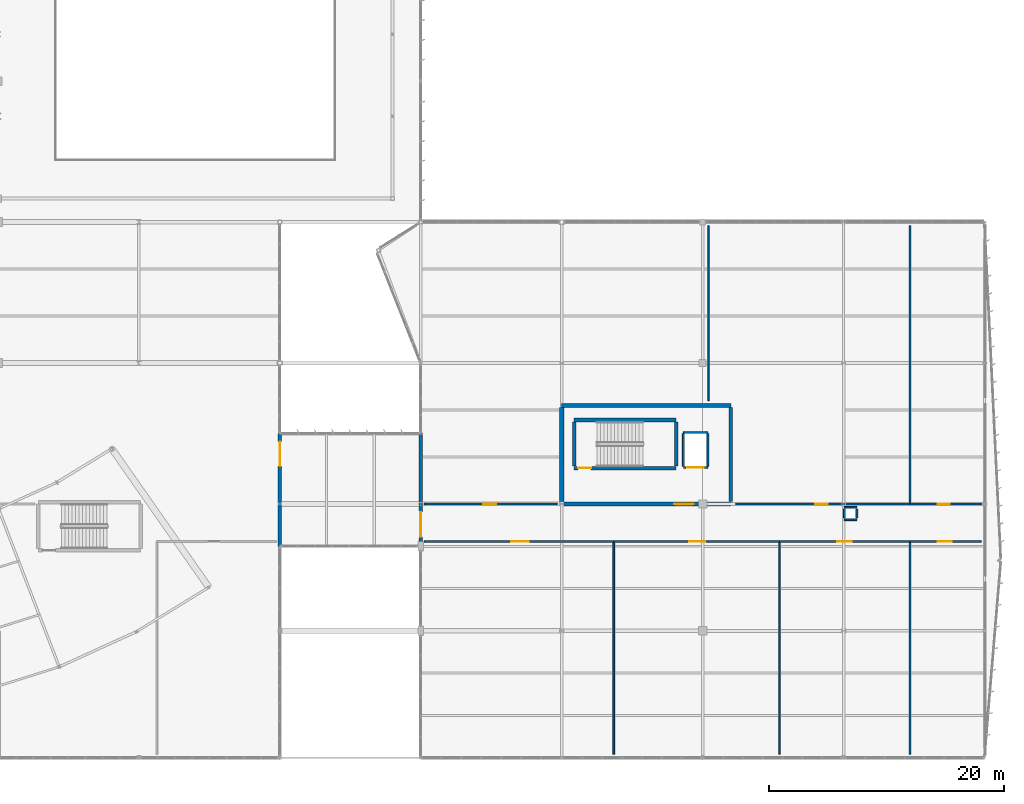
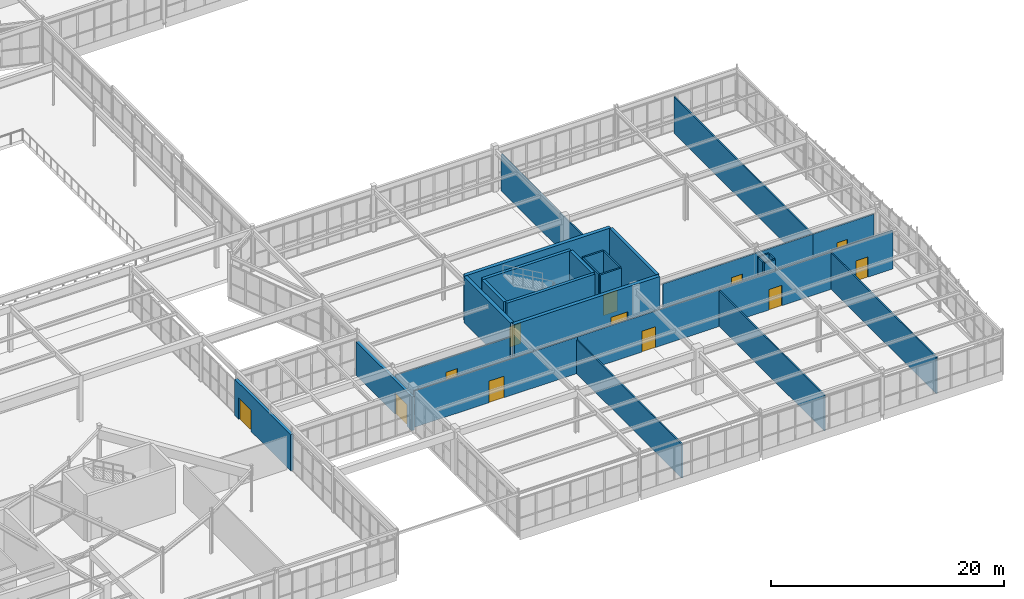
# One storey, part 161 of 186: 30 walls, 12 doors, 12 openings.
"""IFC4 building model written with IfcOpenShell, lengths in metres."""

import ifcopenshell
import ifcopenshell.guid

model = None  # the IFC model being written
_history = None  # IfcOwnerHistory: only IFC2X3 demands one
_inside = {}  # id of a spatial element -> (the spatial element, [elements in it])
_under = {}  # id of a project, library or spatial element -> (it, [spatial elements below it])
_declared = {}  # id of a project -> (the project, [libraries it declares])
_typed = {}  # id of a type object -> (the type object, [elements of that type])
_made_of = {}  # id of a material, layer set ... -> (it, [elements and type objects made of it])


def new_model(schema):
    """Start an empty IFC model of exactly this schema.

    Asked for "IFC4X3", IfcOpenShell would pick the latest addendum, in which some entities
    have other attributes; the version numbers below select the first issue.
    IFC2X3 requires an IfcOwnerHistory on every rooted entity: one is made here for all.
    """
    global model, _history
    if schema == "IFC4X3":
        model = ifcopenshell.file(schema_version=(4, 3, 0, 0))
    else:
        model = ifcopenshell.file(schema=schema)
    _inside.clear()
    _under.clear()
    _declared.clear()
    _typed.clear()
    _made_of.clear()
    _history = None
    if model.schema == "IFC2X3":
        org = make("IfcOrganization", Name="unknown")
        user = make(
            "IfcPersonAndOrganization",
            ThePerson=make("IfcPerson", FamilyName="unknown"),
            TheOrganization=org,
        )
        app = make(
            "IfcApplication",
            ApplicationDeveloper=org,
            Version="unknown",
            ApplicationFullName="unknown",
            ApplicationIdentifier="unknown",
        )
        _history = make(
            "IfcOwnerHistory",
            OwningUser=user,
            OwningApplication=app,
            ChangeAction="ADDED",
            CreationDate=0,
        )
    return model


def make(cls, **values):
    """One entity of the class cls with the attributes given. An attribute that is None is left unset."""
    return model.create_entity(
        cls, **{name: value for name, value in values.items() if value is not None}
    )


def rooted(cls, **values):
    """An entity with a GlobalId (a new one), such as an element, a storey or a relation."""
    return make(cls, GlobalId=ifcopenshell.guid.new(), OwnerHistory=_history, **values)


def si_unit(unit_type, name, prefix=None):
    """IfcSIUnit, for example si_unit("LENGTHUNIT", "METRE", prefix="MILLI")."""
    return make("IfcSIUnit", UnitType=unit_type, Prefix=prefix, Name=name)


def assignment(units):
    """IfcUnitAssignment: the units of a project."""
    return None if units is None else make("IfcUnitAssignment", Units=units)


def point(xyz):
    """IfcCartesianPoint."""
    return None if xyz is None else make("IfcCartesianPoint", Coordinates=xyz)


def direction(xyz):
    """IfcDirection."""
    return None if xyz is None else make("IfcDirection", DirectionRatios=xyz)


def frame(location, z_axis=None, x_axis=None):
    """IfcAxis2Placement3D, a coordinate frame: its origin and axes. An axis left out is left unset."""
    return make(
        "IfcAxis2Placement3D",
        Location=point(location),
        Axis=direction(z_axis),
        RefDirection=direction(x_axis),
    )


def frame_2d(location, x_axis=None):
    """IfcAxis2Placement2D, a coordinate frame in the plane: its origin and x axis."""
    return make(
        "IfcAxis2Placement2D", Location=point(location), RefDirection=direction(x_axis)
    )


def origin():
    """The frame at (0, 0, 0) with its axes left unset."""
    return frame((0.0, 0.0, 0.0))


def place(relative_to, where):
    """IfcLocalPlacement: puts the frame where relative to a parent placement (None: the world)."""
    return make(
        "IfcLocalPlacement", PlacementRelTo=relative_to, RelativePlacement=where
    )


def context(
    kind, dimensions, precision=None, world=None, true_north=None, identifier=None
):
    """IfcGeometricRepresentationContext, for example the 3D "Model" context."""
    return make(
        "IfcGeometricRepresentationContext",
        ContextIdentifier=identifier,
        ContextType=kind,
        CoordinateSpaceDimension=dimensions,
        Precision=precision,
        WorldCoordinateSystem=world,
        TrueNorth=true_north,
    )


def subcontext(parent, identifier, kind, view, scale=None):
    """IfcGeometricRepresentationSubContext, for example "Body" below "Model"."""
    return make(
        "IfcGeometricRepresentationSubContext",
        ContextIdentifier=identifier,
        ContextType=kind,
        ParentContext=parent,
        TargetScale=scale,
        TargetView=view,
    )


def project(units=None, contexts=None):
    """IfcProject with its units and contexts."""
    return rooted(
        "IfcProject",
        Name="project",
        RepresentationContexts=contexts,
        UnitsInContext=assignment(units),
    )


def spatial(cls, under=None, at=None, **own):
    """A site, building, storey or space (cls), placed at a placement, below another one or the project."""
    s = rooted(cls, ObjectPlacement=at, **own)
    if under is not None:
        _under.setdefault(under.id(), (under, []))[1].append(s)
    return s


def profile(cls, at=None, kind="AREA", **sizes):
    """A parametric profile (cls). Its sizes go by their IFC names, for example OverallWidth=200.0."""
    return make(cls, ProfileType=kind, Position=at, **sizes)


def rectangle(**sizes):
    """IfcRectangleProfileDef."""
    return profile("IfcRectangleProfileDef", **sizes)


def extrude(swept, where, along, depth):
    """IfcExtrudedAreaSolid: the profile swept, set in the frame where, extruded along a direction by depth."""
    return make(
        "IfcExtrudedAreaSolid",
        SweptArea=swept,
        Position=where,
        ExtrudedDirection=direction(along),
        Depth=depth,
    )


def shape(context_of_items, identifier, shape_type, items):
    """IfcShapeRepresentation: the items that make up one representation, for example the "Body"."""
    return make(
        "IfcShapeRepresentation",
        ContextOfItems=context_of_items,
        RepresentationIdentifier=identifier,
        RepresentationType=shape_type,
        Items=items,
    )


def material(Name=None, Category=None):
    """IfcMaterial."""
    return make("IfcMaterial", Name=Name, Category=Category)


def layer(
    of_material, thickness, ventilated=None, Name=None, Category=None, Priority=None
):
    """IfcMaterialLayer: one layer of a wall or slab, of a material (None: an air gap)."""
    return make(
        "IfcMaterialLayer",
        Material=of_material,
        LayerThickness=thickness,
        IsVentilated=ventilated,
        Name=Name,
        Category=Category,
        Priority=Priority,
    )


def layer_set(layers, Name=None):
    """IfcMaterialLayerSet."""
    return make("IfcMaterialLayerSet", MaterialLayers=layers, LayerSetName=Name)


def made_of(thing, what):
    """Note that an element or type object is made of a material, layer set ...; save() writes the relation."""
    if what is not None:
        _made_of.setdefault(what.id(), (what, []))[1].append(thing)
    return thing


def type_object(cls, material=None, **own):
    """A type object (cls), such as IfcWallType, which elements share."""
    return made_of(rooted(cls, **own), material)


def element(
    cls,
    number,
    at=None,
    inside=None,
    cuts=None,
    type_object=None,
    material=None,
    context=None,
    identifier="Body",
    shape_type=None,
    held_by="IfcProductDefinitionShape",
    body=None,
    shapes=None,
    **own,
):
    """One element of the class cls, such as IfcWall. Its Tag is "e" and its number.

    at: its placement. inside: the storey or other place that contains it. cuts: it is an
    opening in that element (IfcRelVoidsElement). A single representation is given by context,
    identifier, shape_type and body (its items); several are given by shapes. held_by: the class
    of the entity that holds the representations. save() writes the other relations.
    """
    e = rooted(cls, Tag="e%d" % number, ObjectPlacement=at, **own)
    if body is not None:
        shapes = [shape(context, identifier, shape_type, body)]
    if shapes is not None:
        e.Representation = make(held_by, Representations=shapes)
    if inside is not None:
        _inside.setdefault(inside.id(), (inside, []))[1].append(e)
    if cuts is not None:
        rooted(
            "IfcRelVoidsElement", RelatingBuildingElement=cuts, RelatedOpeningElement=e
        )
    if type_object is not None:
        _typed.setdefault(type_object.id(), (type_object, []))[1].append(e)
    return made_of(e, material)


def fill(opening, filler):
    """IfcRelFillsElement: the door or window that sits in an opening."""
    return rooted(
        "IfcRelFillsElement",
        RelatingOpeningElement=opening,
        RelatedBuildingElement=filler,
    )


def aggregate(whole, parts):
    """IfcRelAggregates: a whole, such as a stair, and the parts it consists of."""
    return rooted("IfcRelAggregates", RelatingObject=whole, RelatedObjects=parts)


def save(model, path):
    """Write the relations noted so far, then the file.

    IfcRelAggregates (storeys below a building ...), IfcRelContainedInSpatialStructure (elements
    in a storey), IfcRelDefinesByType, IfcRelAssociatesMaterial and IfcRelDeclares: one each for
    every whole, place, type object, material and project.
    """
    for whole, parts in _under.values():
        aggregate(whole, parts)
    for where, things in _inside.values():
        rooted(
            "IfcRelContainedInSpatialStructure",
            RelatedElements=things,
            RelatingStructure=where,
        )
    for kind, things in _typed.values():
        rooted("IfcRelDefinesByType", RelatedObjects=things, RelatingType=kind)
    for what, things in _made_of.values():
        rooted("IfcRelAssociatesMaterial", RelatedObjects=things, RelatingMaterial=what)
    for by, libraries in _declared.values():
        rooted("IfcRelDeclares", RelatingContext=by, RelatedDefinitions=libraries)
    model.write(path)


model = new_model("IFC4")

# Units and contexts
model_context = context("Model", 3, precision=1e-05, world=origin(), true_north=direction((0.0, 1.0)))
body_context = subcontext(model_context, "Body", "Model", "MODEL_VIEW")
ifc_project = project(units=[si_unit("LENGTHUNIT", "METRE"), si_unit("AREAUNIT", "SQUARE_METRE"), si_unit("VOLUMEUNIT", "CUBIC_METRE"), si_unit("PLANEANGLEUNIT", "RADIAN"), si_unit("MASSUNIT", "GRAM", prefix="KILO")], contexts=[model_context])

# Site, building, storey
site_placement = place(None, origin())
site = spatial("IfcSite", under=ifc_project, at=site_placement, CompositionType="ELEMENT")
building_placement = place(site_placement, origin())
building = spatial("IfcBuilding", under=site, at=building_placement, Name="Tarnwether General Hospital", CompositionType="ELEMENT")
storey_placement = place(building_placement, frame((0.0, 0.0, 9.60009765625)))
storey = spatial("IfcBuildingStorey", under=building, at=storey_placement, Name="L02", CompositionType="ELEMENT", Elevation=9.60009765625)

# Wall, opening, door
ifc_material_1 = material(Name="Precast concrete 40 MPa", Category="concrete")
ifc_layer_1 = layer(ifc_material_1, 0.280029296875)
ifc_layer_set_1 = layer_set([ifc_layer_1], Name="Precast concrete 40 MPa")
wall_type_1 = type_object("IfcWallType", Name="WL-EX280", PredefinedType="STANDARD", material=ifc_layer_set_1)
wall_1_placement = place(storey_placement, frame((132.0, 27.60009765625, 0.0), z_axis=(0.0, 0.0, 1.0), x_axis=(0.0, -1.0, 0.0)))
wall_1 = element("IfcWall", 1, at=wall_1_placement, inside=storey, type_object=wall_type_1, Name="L02 Bridge West Threshold EW-L02-0321", PredefinedType="STANDARD", context=body_context, shape_type="SweptSolid", body=[
    extrude(rectangle(XDim=9.60009765625, YDim=0.280029296875, at=frame_2d((4.800048828125, 0.0))), origin(), (0.0, 0.0, 1.0), 3.77978515625),
])
opening_1_placement = place(wall_1_placement, frame((0.680908203125, 0.0, 0.0)))
opening_1 = element("IfcOpeningElement", 2, at=opening_1_placement, cuts=wall_1, Name="Opening ED-09", PredefinedType="OPENING", context=body_context, shape_type="SweptSolid", body=[
    extrude(rectangle(XDim=2.10009765625, YDim=2.25, at=frame_2d((1.050048828125, 1.125))), frame((0.0, 0.14990234375, 0.0), z_axis=(0.0, -1.0, 0.0), x_axis=(1.0, 0.0, 0.0)), (0.0, 0.0, 1.0), 0.300048828125),
])
ifc_material_2 = material(Name="Anodised aluminium", Category="aluminium")
door_type_1 = type_object("IfcDoorType", Name="DR-HP01", OperationType="NOTDEFINED", PredefinedType="DOOR", material=ifc_material_2)
door_1_placement = place(opening_1_placement, origin())
door_1 = element("IfcDoor", 3, at=door_1_placement, inside=storey, type_object=door_type_1, Name="L02 Bridge West Door ED-L02-0043", OperationType="DOUBLE_DOOR_SINGLE_SWING", OverallHeight=2.25, OverallWidth=2.10009765625, PredefinedType="DOOR", context=body_context, shape_type="SweptSolid", body=[
    extrude(rectangle(XDim=2.10009765625, YDim=2.25, at=frame_2d((1.050048828125, 1.125))), frame((0.0, 0.02490234375, 0.0), z_axis=(0.0, -1.0, 0.0), x_axis=(1.0, 0.0, 0.0)), (0.0, 0.0, 1.0), 0.050048828125),
])
fill(opening_1, door_1)

wall_2_placement = place(storey_placement, frame((144.0, 18.0, 0.0), z_axis=(0.0, 0.0, 1.0), x_axis=(0.0, 1.0, 0.0)))
wall_2 = element("IfcWall", 4, at=wall_2_placement, inside=storey, type_object=wall_type_1, Name="L02 Bridge East Threshold EW-L02-0322", PredefinedType="STANDARD", context=body_context, shape_type="SweptSolid", body=[
    extrude(rectangle(XDim=9.60009765625, YDim=0.280029296875, at=frame_2d((4.800048828125, 0.0))), origin(), (0.0, 0.0, 1.0), 3.52978515625),
])
opening_2_placement = place(wall_2_placement, frame((0.800048828125, 0.0, 0.0)))
opening_2 = element("IfcOpeningElement", 5, at=opening_2_placement, cuts=wall_2, Name="Opening ED-09", PredefinedType="OPENING", context=body_context, shape_type="SweptSolid", body=[
    extrude(rectangle(XDim=2.10009765625, YDim=2.25, at=frame_2d((1.050048828125, 1.125))), frame((0.0, 0.14990234375, 0.0), z_axis=(0.0, -1.0, 0.0), x_axis=(1.0, 0.0, 0.0)), (0.0, 0.0, 1.0), 0.300048828125),
])
door_2_placement = place(opening_2_placement, origin())
door_2 = element("IfcDoor", 6, at=door_2_placement, inside=storey, type_object=door_type_1, Name="L02 Bridge East Door ED-L02-0044", OperationType="DOUBLE_DOOR_SINGLE_SWING", OverallHeight=2.25, OverallWidth=2.10009765625, PredefinedType="DOOR", context=body_context, shape_type="SweptSolid", body=[
    extrude(rectangle(XDim=2.10009765625, YDim=2.25, at=frame_2d((1.050048828125, 1.125))), frame((0.0, 0.02490234375, 0.0), z_axis=(0.0, -1.0, 0.0), x_axis=(1.0, 0.0, 0.0)), (0.0, 0.0, 1.0), 0.050048828125),
])
fill(opening_2, door_2)

ifc_material_3 = material(Name="Gypsum plasterboard")
ifc_layer_2 = layer(ifc_material_3, 0.139892578125)
ifc_layer_set_2 = layer_set([ifc_layer_2], Name="Gypsum plasterboard")
wall_type_2 = type_object("IfcWallType", Name="WL-PT140", PredefinedType="PARTITIONING", material=ifc_layer_set_2)
wall_3_placement = place(storey_placement, frame((144.300048828125, 18.39990234375, 0.0), z_axis=(0.0, 0.0, 1.0), x_axis=(1.0, 0.0, 0.0)))
wall_3 = element("IfcWall", 7, at=wall_3_placement, inside=storey, type_object=wall_type_2, Name="Interior Partition PT-L02-0278", PredefinedType="PARTITIONING", context=body_context, shape_type="SweptSolid", body=[
    extrude(rectangle(XDim=16.135986328125, YDim=0.139892578125, at=frame_2d((8.06787109375, 0.0))), origin(), (0.0, 0.0, 1.0), 3.81787109375),
])
opening_3_placement = place(wall_3_placement, frame((7.41796875, 0.0, 0.0)))
opening_3 = element("IfcOpeningElement", 8, at=opening_3_placement, cuts=wall_3, Name="Opening SD-03", PredefinedType="OPENING", context=body_context, shape_type="SweptSolid", body=[
    extrude(rectangle(XDim=1.47998046875, YDim=2.260009765625, at=frame_2d((0.739990234375, 1.1298828125))), frame((0.0, 0.080078125, 0.0), z_axis=(0.0, -1.0, 0.0), x_axis=(1.0, 0.0, 0.0)), (0.0, 0.0, 1.0), 0.159912109375),
])
ifc_material_4 = material(Name="Anodised aluminium", Category="aluminium")
door_type_2 = type_object("IfcDoorType", Name="DR-OR03", OperationType="NOTDEFINED", PredefinedType="DOOR", material=ifc_material_4)
door_3_placement = place(opening_3_placement, origin())
door_3 = element("IfcDoor", 9, at=door_3_placement, inside=storey, type_object=door_type_2, Name="Interior Door DR-L02-0154", OperationType="SLIDING_TO_LEFT", OverallHeight=2.260009765625, OverallWidth=1.47998046875, PredefinedType="DOOR", context=body_context, shape_type="SweptSolid", body=[
    extrude(rectangle(XDim=1.47998046875, YDim=2.260009765625, at=frame_2d((0.739990234375, 1.1298828125))), frame((0.0, 0.02490234375, 0.0), z_axis=(0.0, -1.0, 0.0), x_axis=(1.0, 0.0, 0.0)), (0.0, 0.0, 1.0), 0.050048828125),
])
fill(opening_3, door_3)

# Wall
wall_4_placement = place(storey_placement, frame((160.43603515625, 0.300048828125, 0.0), z_axis=(0.0, 0.0, 1.0), x_axis=(0.0, 1.0, 0.0)))
element("IfcWall", 10, at=wall_4_placement, inside=storey, type_object=wall_type_2, Name="Interior Partition PT-L02-0279", PredefinedType="PARTITIONING", context=body_context, shape_type="SweptSolid", body=[
    extrude(rectangle(XDim=18.099853515625, YDim=0.139892578125, at=frame_2d((9.0498046875, 0.0))), origin(), (0.0, 0.0, 1.0), 3.52978515625),
])

# Wall, opening, door
wall_5_placement = place(storey_placement, frame((160.43603515625, 18.39990234375, 0.0), z_axis=(0.0, 0.0, 1.0), x_axis=(1.0, 0.0, 0.0)))
wall_5 = element("IfcWall", 11, at=wall_5_placement, inside=storey, type_object=wall_type_2, Name="Interior Partition PT-L02-0280", PredefinedType="PARTITIONING", context=body_context, shape_type="SweptSolid", body=[
    extrude(rectangle(XDim=14.118896484375, YDim=0.139892578125, at=frame_2d((7.0595703125, 0.0))), origin(), (0.0, 0.0, 1.0), 3.827880859375),
])
opening_4_placement = place(wall_5_placement, frame((6.409912109375, 0.0, 0.0)))
opening_4 = element("IfcOpeningElement", 12, at=opening_4_placement, cuts=wall_5, Name="Opening D-02", PredefinedType="OPENING", context=body_context, shape_type="SweptSolid", body=[
    extrude(rectangle(XDim=1.360107421875, YDim=2.179931640625, at=frame_2d((0.68017578125, 1.08984375))), frame((0.0, 0.080078125, 0.0), z_axis=(0.0, -1.0, 0.0), x_axis=(1.0, 0.0, 0.0)), (0.0, 0.0, 1.0), 0.159912109375),
])
ifc_material_5 = material(Name="Anodised aluminium", Category="aluminium")
door_type_3 = type_object("IfcDoorType", Name="DR-IN02", OperationType="NOTDEFINED", PredefinedType="DOOR", material=ifc_material_5)
door_4_placement = place(opening_4_placement, origin())
door_4 = element("IfcDoor", 13, at=door_4_placement, inside=storey, type_object=door_type_3, Name="Interior Door DR-L02-0155", OperationType="SINGLE_SWING_LEFT", OverallHeight=2.179931640625, OverallWidth=1.360107421875, PredefinedType="DOOR", context=body_context, shape_type="SweptSolid", body=[
    extrude(rectangle(XDim=1.360107421875, YDim=2.179931640625, at=frame_2d((0.68017578125, 1.08984375))), frame((0.0, 0.02490234375, 0.0), z_axis=(0.0, -1.0, 0.0), x_axis=(1.0, 0.0, 0.0)), (0.0, 0.0, 1.0), 0.050048828125),
])
fill(opening_4, door_4)

# Wall
wall_6_placement = place(storey_placement, frame((174.554931640625, 0.300048828125, 0.0), z_axis=(0.0, 0.0, 1.0), x_axis=(0.0, 1.0, 0.0)))
element("IfcWall", 14, at=wall_6_placement, inside=storey, type_object=wall_type_2, Name="Interior Partition PT-L02-0281", PredefinedType="PARTITIONING", context=body_context, shape_type="SweptSolid", body=[
    extrude(rectangle(XDim=18.099853515625, YDim=0.139892578125, at=frame_2d((9.0498046875, 0.0))), origin(), (0.0, 0.0, 1.0), 3.73291015625),
])

# Wall, opening, door
wall_7_placement = place(storey_placement, frame((174.554931640625, 18.39990234375, 0.0), z_axis=(0.0, 0.0, 1.0), x_axis=(1.0, 0.0, 0.0)))
wall_7 = element("IfcWall", 15, at=wall_7_placement, inside=storey, type_object=wall_type_2, Name="Interior Partition PT-L02-0282", PredefinedType="PARTITIONING", context=body_context, shape_type="SweptSolid", body=[
    extrude(rectangle(XDim=11.093994140625, YDim=0.139892578125, at=frame_2d((5.546875, 0.0))), origin(), (0.0, 0.0, 1.0), 3.891845703125),
])
opening_5_placement = place(wall_7_placement, frame((4.89697265625, 0.0, 0.0)))
opening_5 = element("IfcOpeningElement", 16, at=opening_5_placement, cuts=wall_7, Name="Opening D-04", PredefinedType="OPENING", context=body_context, shape_type="SweptSolid", body=[
    extrude(rectangle(XDim=1.260009765625, YDim=2.139892578125, at=frame_2d((0.6298828125, 1.06982421875))), frame((0.0, 0.080078125, 0.0), z_axis=(0.0, -1.0, 0.0), x_axis=(1.0, 0.0, 0.0)), (0.0, 0.0, 1.0), 0.159912109375),
])
ifc_material_6 = material(Name="Anodised aluminium", Category="aluminium")
door_type_4 = type_object("IfcDoorType", Name="DR-IN04", OperationType="NOTDEFINED", PredefinedType="DOOR", material=ifc_material_6)
door_5_placement = place(opening_5_placement, origin())
door_5 = element("IfcDoor", 17, at=door_5_placement, inside=storey, type_object=door_type_4, Name="Interior Door DR-L02-0156", OperationType="SINGLE_SWING_RIGHT", OverallHeight=2.139892578125, OverallWidth=1.260009765625, PredefinedType="DOOR", context=body_context, shape_type="SweptSolid", body=[
    extrude(rectangle(XDim=1.260009765625, YDim=2.139892578125, at=frame_2d((0.6298828125, 1.06982421875))), frame((0.0, 0.02490234375, 0.0), z_axis=(0.0, -1.0, 0.0), x_axis=(1.0, 0.0, 0.0)), (0.0, 0.0, 1.0), 0.050048828125),
])
fill(opening_5, door_5)

# Wall
wall_8_placement = place(storey_placement, frame((185.64892578125, 0.300048828125, 0.0), z_axis=(0.0, 0.0, 1.0), x_axis=(0.0, 1.0, 0.0)))
element("IfcWall", 18, at=wall_8_placement, inside=storey, type_object=wall_type_2, Name="Interior Partition PT-L02-0283", PredefinedType="PARTITIONING", context=body_context, shape_type="SweptSolid", body=[
    extrude(rectangle(XDim=18.099853515625, YDim=0.139892578125, at=frame_2d((9.0498046875, 0.0))), origin(), (0.0, 0.0, 1.0), 3.81298828125),
])

# Wall, opening, door
wall_9_placement = place(storey_placement, frame((185.64892578125, 18.39990234375, 0.0), z_axis=(0.0, 0.0, 1.0), x_axis=(1.0, 0.0, 0.0)))
wall_9 = element("IfcWall", 19, at=wall_9_placement, inside=storey, type_object=wall_type_2, Name="Interior Partition PT-L02-0284", PredefinedType="PARTITIONING", context=body_context, shape_type="SweptSolid", body=[
    extrude(rectangle(XDim=6.051025390625, YDim=0.139892578125, at=frame_2d((3.025390625, 0.0))), origin(), (0.0, 0.0, 1.0), 4.02197265625),
])
opening_6_placement = place(wall_9_placement, frame((2.3759765625, 0.0, 0.0)))
opening_6 = element("IfcOpeningElement", 20, at=opening_6_placement, cuts=wall_9, Name="Opening D-05", PredefinedType="OPENING", context=body_context, shape_type="SweptSolid", body=[
    extrude(rectangle(XDim=1.199951171875, YDim=2.1201171875, at=frame_2d((0.60009765625, 1.06005859375))), frame((0.0, 0.080078125, 0.0), z_axis=(0.0, -1.0, 0.0), x_axis=(1.0, 0.0, 0.0)), (0.0, 0.0, 1.0), 0.159912109375),
])
ifc_material_7 = material(Name="Anodised aluminium", Category="aluminium")
door_type_5 = type_object("IfcDoorType", Name="DR-IN05", OperationType="NOTDEFINED", PredefinedType="DOOR", material=ifc_material_7)
door_6_placement = place(opening_6_placement, origin())
door_6 = element("IfcDoor", 21, at=door_6_placement, inside=storey, type_object=door_type_5, Name="Interior Door DR-L02-0157", OperationType="SINGLE_SWING_LEFT", OverallHeight=2.1201171875, OverallWidth=1.199951171875, PredefinedType="DOOR", context=body_context, shape_type="SweptSolid", body=[
    extrude(rectangle(XDim=1.199951171875, YDim=2.1201171875, at=frame_2d((0.60009765625, 1.06005859375))), frame((0.0, 0.02490234375, 0.0), z_axis=(0.0, -1.0, 0.0), x_axis=(1.0, 0.0, 0.0)), (0.0, 0.0, 1.0), 0.050048828125),
])
fill(opening_6, door_6)

wall_10_placement = place(storey_placement, frame((144.300048828125, 21.60009765625, 0.0), z_axis=(0.0, 0.0, 1.0), x_axis=(1.0, 0.0, 0.0)))
wall_10 = element("IfcWall", 22, at=wall_10_placement, inside=storey, type_object=wall_type_2, Name="Interior Partition PT-L02-0285", PredefinedType="PARTITIONING", context=body_context, shape_type="SweptSolid", body=[
    extrude(rectangle(XDim=11.300048828125, YDim=0.139892578125, at=frame_2d((5.64990234375, 0.0))), origin(), (0.0, 0.0, 1.0), 3.52978515625),
])
opening_7_placement = place(wall_10_placement, frame((5.0, 0.0, 0.0)))
opening_7 = element("IfcOpeningElement", 23, at=opening_7_placement, cuts=wall_10, Name="Opening D-07", PredefinedType="OPENING", context=body_context, shape_type="SweptSolid", body=[
    extrude(rectangle(XDim=1.1201171875, YDim=2.080078125, at=frame_2d((0.56005859375, 1.0400390625))), frame((0.0, 0.080078125, 0.0), z_axis=(0.0, -1.0, 0.0), x_axis=(1.0, 0.0, 0.0)), (0.0, 0.0, 1.0), 0.159912109375),
])
ifc_material_8 = material(Name="Anodised aluminium", Category="aluminium")
door_type_6 = type_object("IfcDoorType", Name="DR-IN07", OperationType="NOTDEFINED", PredefinedType="DOOR", material=ifc_material_8)
door_7_placement = place(opening_7_placement, origin())
door_7 = element("IfcDoor", 24, at=door_7_placement, inside=storey, type_object=door_type_6, Name="Interior Door DR-L02-0158", OperationType="SINGLE_SWING_RIGHT", OverallHeight=2.080078125, OverallWidth=1.1201171875, PredefinedType="DOOR", context=body_context, shape_type="SweptSolid", body=[
    extrude(rectangle(XDim=1.1201171875, YDim=2.080078125, at=frame_2d((0.56005859375, 1.0400390625))), frame((0.0, 0.02490234375, 0.0), z_axis=(0.0, -1.0, 0.0), x_axis=(1.0, 0.0, 0.0)), (0.0, 0.0, 1.0), 0.050048828125),
])
fill(opening_7, door_7)

# Wall
wall_11_placement = place(storey_placement, frame((168.50390625, 30.39990234375, 0.0), z_axis=(0.0, 0.0, 1.0), x_axis=(0.0, 1.0, 0.0)))
element("IfcWall", 25, at=wall_11_placement, inside=storey, type_object=wall_type_2, Name="Interior Partition PT-L02-0286", PredefinedType="PARTITIONING", context=body_context, shape_type="SweptSolid", body=[
    extrude(rectangle(XDim=14.900146484375, YDim=0.139892578125, at=frame_2d((7.4501953125, 0.0))), origin(), (0.0, 0.0, 1.0), 3.81787109375),
])

# Wall, opening, door
wall_12_placement = place(storey_placement, frame((170.800048828125, 21.60009765625, 0.0), z_axis=(0.0, 0.0, 1.0), x_axis=(1.0, 0.0, 0.0)))
wall_12 = element("IfcWall", 26, at=wall_12_placement, inside=storey, type_object=wall_type_2, Name="Interior Partition PT-L02-0287", PredefinedType="PARTITIONING", context=body_context, shape_type="SweptSolid", body=[
    extrude(rectangle(XDim=14.848876953125, YDim=0.139892578125, at=frame_2d((7.42431640625, 0.0))), origin(), (0.0, 0.0, 1.0), 3.81298828125),
])
opening_8_placement = place(wall_12_placement, frame((6.77392578125, 0.0, 0.0)))
opening_8 = element("IfcOpeningElement", 27, at=opening_8_placement, cuts=wall_12, Name="Opening D-08", PredefinedType="OPENING", context=body_context, shape_type="SweptSolid", body=[
    extrude(rectangle(XDim=1.06005859375, YDim=2.10009765625, at=frame_2d((0.530029296875, 1.050048828125))), frame((0.0, 0.080078125, 0.0), z_axis=(0.0, -1.0, 0.0), x_axis=(1.0, 0.0, 0.0)), (0.0, 0.0, 1.0), 0.159912109375),
])
ifc_material_9 = material(Name="Anodised aluminium", Category="aluminium")
door_type_7 = type_object("IfcDoorType", Name="DR-IN08", OperationType="NOTDEFINED", PredefinedType="DOOR", material=ifc_material_9)
door_8_placement = place(opening_8_placement, origin())
door_8 = element("IfcDoor", 28, at=door_8_placement, inside=storey, type_object=door_type_7, Name="Interior Door DR-L02-0159", OperationType="SINGLE_SWING_LEFT", OverallHeight=2.10009765625, OverallWidth=1.06005859375, PredefinedType="DOOR", context=body_context, shape_type="SweptSolid", body=[
    extrude(rectangle(XDim=1.06005859375, YDim=2.10009765625, at=frame_2d((0.530029296875, 1.050048828125))), frame((0.0, 0.02490234375, 0.0), z_axis=(0.0, -1.0, 0.0), x_axis=(1.0, 0.0, 0.0)), (0.0, 0.0, 1.0), 0.050048828125),
])
fill(opening_8, door_8)

# Wall
wall_13_placement = place(storey_placement, frame((185.64892578125, 21.60009765625, 0.0), z_axis=(0.0, 0.0, 1.0), x_axis=(0.0, 1.0, 0.0)))
element("IfcWall", 29, at=wall_13_placement, inside=storey, type_object=wall_type_2, Name="Interior Partition PT-L02-0288", PredefinedType="PARTITIONING", context=body_context, shape_type="SweptSolid", body=[
    extrude(rectangle(XDim=23.699951171875, YDim=0.139892578125, at=frame_2d((11.85009765625, 0.0))), origin(), (0.0, 0.0, 1.0), 3.81787109375),
])

# Wall, opening, door
wall_14_placement = place(storey_placement, frame((185.64892578125, 21.60009765625, 0.0), z_axis=(0.0, 0.0, 1.0), x_axis=(1.0, 0.0, 0.0)))
wall_14 = element("IfcWall", 30, at=wall_14_placement, inside=storey, type_object=wall_type_2, Name="Interior Partition PT-L02-0289", PredefinedType="PARTITIONING", context=body_context, shape_type="SweptSolid", body=[
    extrude(rectangle(XDim=6.051025390625, YDim=0.139892578125, at=frame_2d((3.025390625, 0.0))), origin(), (0.0, 0.0, 1.0), 3.81787109375),
])
opening_9_placement = place(wall_14_placement, frame((2.3759765625, 0.0, 0.0)))
opening_9 = element("IfcOpeningElement", 31, at=opening_9_placement, cuts=wall_14, Name="Opening D-09", PredefinedType="OPENING", context=body_context, shape_type="SweptSolid", body=[
    extrude(rectangle(XDim=1.02001953125, YDim=2.080078125, at=frame_2d((0.510009765625, 1.0400390625))), frame((0.0, 0.080078125, 0.0), z_axis=(0.0, -1.0, 0.0), x_axis=(1.0, 0.0, 0.0)), (0.0, 0.0, 1.0), 0.159912109375),
])
ifc_material_10 = material(Name="Anodised aluminium", Category="aluminium")
door_type_8 = type_object("IfcDoorType", Name="DR-IN09", OperationType="NOTDEFINED", PredefinedType="DOOR", material=ifc_material_10)
door_9_placement = place(opening_9_placement, origin())
door_9 = element("IfcDoor", 32, at=door_9_placement, inside=storey, type_object=door_type_8, Name="Interior Door DR-L02-0160", OperationType="SINGLE_SWING_RIGHT", OverallHeight=2.080078125, OverallWidth=1.02001953125, PredefinedType="DOOR", context=body_context, shape_type="SweptSolid", body=[
    extrude(rectangle(XDim=1.02001953125, YDim=2.080078125, at=frame_2d((0.510009765625, 1.0400390625))), frame((0.0, 0.02490234375, 0.0), z_axis=(0.0, -1.0, 0.0), x_axis=(1.0, 0.0, 0.0)), (0.0, 0.0, 1.0), 0.050048828125),
])
fill(opening_9, door_9)

# Walls
ifc_material_11 = material(Name="Gypsum plasterboard")
ifc_layer_3 = layer(ifc_material_11, 0.159912109375)
ifc_layer_set_3 = layer_set([ifc_layer_3], Name="Gypsum plasterboard")
wall_type_3 = type_object("IfcWallType", Name="WL-PT160", PredefinedType="PARTITIONING", material=ifc_layer_set_3)
for number, where, z_axis, x_axis, name in (
    (33, (180.070068359375, 20.260009765625, 0.0), (0.0, 0.0, 1.0), (1.0, 0.0, 0.0), "Service Riser Enclosure SL-L02-V6S2 S"),
    (34, (181.1298828125, 21.320068359375, 0.0), (0.0, 0.0, 1.0), (-1.0, 0.0, 0.0), "Service Riser Enclosure SL-L02-V6S2 N"),
):
    element("IfcWall", number, at=place(storey_placement, frame(where, z_axis=z_axis, x_axis=x_axis)), inside=storey, type_object=wall_type_3, Name=name, PredefinedType="PARTITIONING", context=body_context, shape_type="SweptSolid", body=[
        extrude(rectangle(XDim=1.059814453125, YDim=0.159912109375, at=frame_2d((0.52978515625, 0.0))), origin(), (0.0, 0.0, 1.0), 3.5498046875),
    ])
for number, where, z_axis, x_axis, name in (
    (35, (180.070068359375, 21.159912109375, 0.0), (0.0, 0.0, 1.0), (0.0, -1.0, 0.0), "Service Riser Enclosure SL-L02-V6S2 W"),
    (36, (181.1298828125, 20.419921875, 0.0), (0.0, 0.0, 1.0), (0.0, 1.0, 0.0), "Service Riser Enclosure SL-L02-V6S2 E"),
):
    element("IfcWall", number, at=place(storey_placement, frame(where, z_axis=z_axis, x_axis=x_axis)), inside=storey, type_object=wall_type_3, Name=name, PredefinedType="PARTITIONING", context=body_context, shape_type="SweptSolid", body=[
        extrude(rectangle(XDim=0.739990234375, YDim=0.159912109375, at=frame_2d((0.3701171875, 0.0))), origin(), (0.0, 0.0, 1.0), 3.5498046875),
    ])

# Wall, opening, door
wall_15_placement = place(storey_placement, frame((166.360107421875, 24.7099609375, 0.0), z_axis=(0.0, 0.0, 1.0), x_axis=(1.0, 0.0, 0.0)))
wall_15 = element("IfcWall", 37, at=wall_15_placement, inside=storey, type_object=wall_type_3, Name="Lift L-05 Shaft Wall LSH-L-05-L02-S", PredefinedType="PARTITIONING", context=body_context, shape_type="SweptSolid", body=[
    extrude(rectangle(XDim=2.079833984375, YDim=0.159912109375, at=frame_2d((1.0400390625, 0.0))), origin(), (0.0, 0.0, 1.0), 4.429931640625),
])
opening_10_placement = place(wall_15_placement, frame((0.340087890625, 0.0, 0.0)))
opening_10 = element("IfcOpeningElement", 38, at=opening_10_placement, cuts=wall_15, Name="Opening LD-01", PredefinedType="OPENING", context=body_context, shape_type="SweptSolid", body=[
    extrude(rectangle(XDim=1.39990234375, YDim=2.199951171875, at=frame_2d((0.699951171875, 1.10009765625))), frame((0.0, 0.08984375, 0.0), z_axis=(0.0, -1.0, 0.0), x_axis=(1.0, 0.0, 0.0)), (0.0, 0.0, 1.0), 0.179931640625),
])
ifc_material_12 = material(Name="Anodised aluminium", Category="aluminium")
door_type_9 = type_object("IfcDoorType", Name="DR-LD01", OperationType="NOTDEFINED", PredefinedType="DOOR", material=ifc_material_12)
door_10_placement = place(opening_10_placement, origin())
door_10 = element("IfcDoor", 39, at=door_10_placement, inside=storey, type_object=door_type_9, Name="Lift L-05 Sliding Landing Door L02", OperationType="SLIDING_TO_LEFT", OverallHeight=2.199951171875, OverallWidth=1.39990234375, PredefinedType="DOOR", context=body_context, shape_type="SweptSolid", body=[
    extrude(rectangle(XDim=1.39990234375, YDim=2.199951171875, at=frame_2d((0.699951171875, 1.10009765625))), frame((0.0, 0.02490234375, 0.0), z_axis=(0.0, -1.0, 0.0), x_axis=(1.0, 0.0, 0.0)), (0.0, 0.0, 1.0), 0.050048828125),
])
fill(opening_10, door_10)

# Walls
wall_16_placement = place(storey_placement, frame((168.43994140625, 27.68994140625, 0.0), z_axis=(0.0, 0.0, 1.0), x_axis=(-1.0, 0.0, 0.0)))
element("IfcWall", 40, at=wall_16_placement, inside=storey, type_object=wall_type_3, Name="Lift L-05 Shaft Wall LSH-L-05-L02-N", PredefinedType="PARTITIONING", context=body_context, shape_type="SweptSolid", body=[
    extrude(rectangle(XDim=2.079833984375, YDim=0.159912109375, at=frame_2d((1.0400390625, 0.0))), origin(), (0.0, 0.0, 1.0), 4.429931640625),
])
for number, where, z_axis, x_axis, name in (
    (41, (166.360107421875, 27.590087890625, 0.0), (0.0, 0.0, 1.0), (0.0, -1.0, 0.0), "Lift L-05 Shaft Wall LSH-L-05-L02-W"),
    (42, (168.43994140625, 24.81005859375, 0.0), (0.0, 0.0, 1.0), (0.0, 1.0, 0.0), "Lift L-05 Shaft Wall LSH-L-05-L02-E"),
):
    element("IfcWall", number, at=place(storey_placement, frame(where, z_axis=z_axis, x_axis=x_axis)), inside=storey, type_object=wall_type_3, Name=name, PredefinedType="PARTITIONING", context=body_context, shape_type="SweptSolid", body=[
        extrude(rectangle(XDim=2.780029296875, YDim=0.159912109375, at=frame_2d((1.39013671875, 0.0))), origin(), (0.0, 0.0, 1.0), 4.429931640625),
    ])
ifc_material_13 = material(Name="Concrete 50 MPa", Category="concrete")
ifc_layer_4 = layer(ifc_material_13, 0.300048828125)
ifc_layer_set_4 = layer_set([ifc_layer_4], Name="Concrete 50 MPa")
wall_type_4 = type_object("IfcWallType", Name="WL-SW300", PredefinedType="SHEAR", material=ifc_layer_set_4)
wall_17_placement = place(storey_placement, frame((170.39990234375, 29.800048828125, 0.0), z_axis=(0.0, 0.0, 1.0), x_axis=(0.0, -1.0, 0.0)))
element("IfcWall", 43, at=wall_17_placement, inside=storey, type_object=wall_type_4, Name="Core Shear Wall CWALL-K5-L02-E", PredefinedType="SHEAR", context=body_context, shape_type="SweptSolid", body=[
    extrude(rectangle(XDim=8.0, YDim=0.300048828125, at=frame_2d((4.0, 0.0))), origin(), (0.0, 0.0, 1.0), 4.7998046875),
])

# Wall, opening, door
wall_18_placement = place(storey_placement, frame((157.050048828125, 24.64990234375, 0.0), z_axis=(0.0, 0.0, 1.0), x_axis=(1.0, 0.0, 0.0)))
wall_18 = element("IfcWall", 44, at=wall_18_placement, inside=storey, type_object=wall_type_4, Name="Stairwell Shear Wall STW-ST-05-L02-B", PredefinedType="SHEAR", context=body_context, shape_type="SweptSolid", body=[
    extrude(rectangle(XDim=8.699951171875, YDim=0.300048828125, at=frame_2d((4.35009765625, 0.0))), origin(), (0.0, 0.0, 1.0), 4.7998046875),
])
opening_11_placement = place(wall_18_placement, frame((0.35009765625, 0.0, 0.0)))
opening_11 = element("IfcOpeningElement", 45, at=opening_11_placement, cuts=wall_18, Name="Opening FD-06", PredefinedType="OPENING", context=body_context, shape_type="SweptSolid", body=[
    extrude(rectangle(XDim=1.10009765625, YDim=2.14990234375, at=frame_2d((0.550048828125, 1.074951171875))), frame((0.0, 0.16015625, 0.0), z_axis=(0.0, -1.0, 0.0), x_axis=(1.0, 0.0, 0.0)), (0.0, 0.0, 1.0), 0.320068359375),
])
ifc_material_14 = material(Name="Anodised aluminium", Category="aluminium")
door_type_10 = type_object("IfcDoorType", Name="DR-FD06", OperationType="NOTDEFINED", PredefinedType="DOOR", material=ifc_material_14)
door_11_placement = place(opening_11_placement, origin())
door_11 = element("IfcDoor", 46, at=door_11_placement, inside=storey, type_object=door_type_10, Name="Stairwell ST-05 Safe-Path Fire Door L02", OperationType="SINGLE_SWING_RIGHT", OverallHeight=2.14990234375, OverallWidth=1.10009765625, PredefinedType="DOOR", context=body_context, shape_type="SweptSolid", body=[
    extrude(rectangle(XDim=1.10009765625, YDim=2.14990234375, at=frame_2d((0.550048828125, 1.074951171875))), frame((0.0, 0.02490234375, 0.0), z_axis=(0.0, -1.0, 0.0), x_axis=(1.0, 0.0, 0.0)), (0.0, 0.0, 1.0), 0.050048828125),
])
fill(opening_11, door_11)

# Walls
wall_19_placement = place(storey_placement, frame((165.75, 28.75, 0.0), z_axis=(0.0, 0.0, 1.0), x_axis=(-1.0, 0.0, 0.0)))
element("IfcWall", 47, at=wall_19_placement, inside=storey, type_object=wall_type_4, Name="Stairwell Shear Wall STW-ST-05-L02-N", PredefinedType="SHEAR", context=body_context, shape_type="SweptSolid", body=[
    extrude(rectangle(XDim=8.699951171875, YDim=0.300048828125, at=frame_2d((4.35009765625, 0.0))), origin(), (0.0, 0.0, 1.0), 4.7998046875),
])
for number, where, z_axis, x_axis, name in (
    (48, (157.050048828125, 24.820068359375, 0.0), (0.0, 0.0, 1.0), (0.0, 1.0, 0.0), "Stairwell Shear Wall STW-ST-05-L02-L"),
    (49, (165.75, 24.820068359375, 0.0), (0.0, 0.0, 1.0), (0.0, 1.0, 0.0), "Stairwell Shear Wall STW-ST-05-L02-F"),
):
    element("IfcWall", number, at=place(storey_placement, frame(where, z_axis=z_axis, x_axis=x_axis)), inside=storey, type_object=wall_type_4, Name=name, PredefinedType="SHEAR", context=body_context, shape_type="SweptSolid", body=[
        extrude(rectangle(XDim=3.760009765625, YDim=0.300048828125, at=frame_2d((1.8798828125, 0.0))), origin(), (0.0, 0.0, 1.0), 4.7998046875),
    ])
ifc_material_15 = material(Name="Concrete 50 MPa", Category="concrete")
ifc_layer_5 = layer(ifc_material_15, 0.35009765625)
ifc_layer_set_5 = layer_set([ifc_layer_5], Name="Concrete 50 MPa")
wall_type_5 = type_object("IfcWallType", Name="WL-SW350", PredefinedType="SHEAR", material=ifc_layer_set_5)
wall_20_placement = place(storey_placement, frame((156.0, 30.0, 0.0), z_axis=(0.0, 0.0, 1.0), x_axis=(1.0, 0.0, 0.0)))
element("IfcWall", 50, at=wall_20_placement, inside=storey, type_object=wall_type_5, Name="Core Shear Wall CWALL-K5-L02-N", PredefinedType="SHEAR", context=body_context, shape_type="SweptSolid", body=[
    extrude(rectangle(XDim=14.39990234375, YDim=0.35009765625, at=frame_2d((7.199951171875, 0.0))), origin(), (0.0, 0.0, 1.0), 4.7998046875),
])

# Wall, opening, door
wall_21_placement = place(storey_placement, frame((170.39990234375, 21.60009765625, 0.0), z_axis=(0.0, 0.0, 1.0), x_axis=(-1.0, 0.0, 0.0)))
wall_21 = element("IfcWall", 51, at=wall_21_placement, inside=storey, type_object=wall_type_5, Name="Core Shear Wall CWALL-K5-L02-S", PredefinedType="SHEAR", context=body_context, shape_type="SweptSolid", body=[
    extrude(rectangle(XDim=14.39990234375, YDim=0.35009765625, at=frame_2d((7.199951171875, 0.0))), origin(), (0.0, 0.0, 1.0), 4.7998046875),
])
opening_12_placement = place(wall_21_placement, frame((3.172119140625, 0.0, 0.0)))
opening_12 = element("IfcOpeningElement", 52, at=opening_12_placement, cuts=wall_21, Name="Opening FD-01", PredefinedType="OPENING", context=body_context, shape_type="SweptSolid", body=[
    extrude(rectangle(XDim=1.639892578125, YDim=2.199951171875, at=frame_2d((0.81982421875, 1.10009765625))), frame((0.0, 0.18505859375, 0.0), z_axis=(0.0, -1.0, 0.0), x_axis=(1.0, 0.0, 0.0)), (0.0, 0.0, 1.0), 0.3701171875),
])
ifc_material_16 = material(Name="Anodised aluminium", Category="aluminium")
door_type_11 = type_object("IfcDoorType", Name="DR-FD01", OperationType="NOTDEFINED", PredefinedType="DOOR", material=ifc_material_16)
door_12_placement = place(opening_12_placement, origin())
door_12 = element("IfcDoor", 53, at=door_12_placement, inside=storey, type_object=door_type_11, Name="Core K5 Lobby Fire Door L02", OperationType="DOUBLE_DOOR_SINGLE_SWING", OverallHeight=2.199951171875, OverallWidth=1.639892578125, PredefinedType="DOOR", context=body_context, shape_type="SweptSolid", body=[
    extrude(rectangle(XDim=1.639892578125, YDim=2.199951171875, at=frame_2d((0.81982421875, 1.10009765625))), frame((0.0, 0.02490234375, 0.0), z_axis=(0.0, -1.0, 0.0), x_axis=(1.0, 0.0, 0.0)), (0.0, 0.0, 1.0), 0.050048828125),
])
fill(opening_12, door_12)

# Wall
wall_22_placement = place(storey_placement, frame((156.0, 21.800048828125, 0.0), z_axis=(0.0, 0.0, 1.0), x_axis=(0.0, 1.0, 0.0)))
element("IfcWall", 54, at=wall_22_placement, inside=storey, type_object=wall_type_5, Name="Core Shear Wall CWALL-K5-L02-W", PredefinedType="SHEAR", context=body_context, shape_type="SweptSolid", body=[
    extrude(rectangle(XDim=8.0, YDim=0.35009765625, at=frame_2d((4.0, 0.0))), origin(), (0.0, 0.0, 1.0), 4.7998046875),
])

save(model, "model.ifc")
